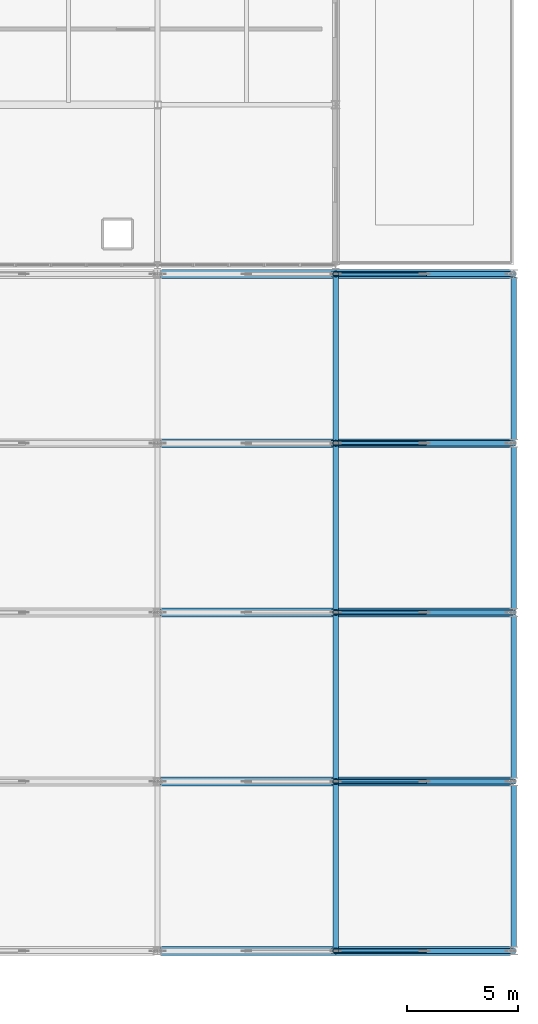
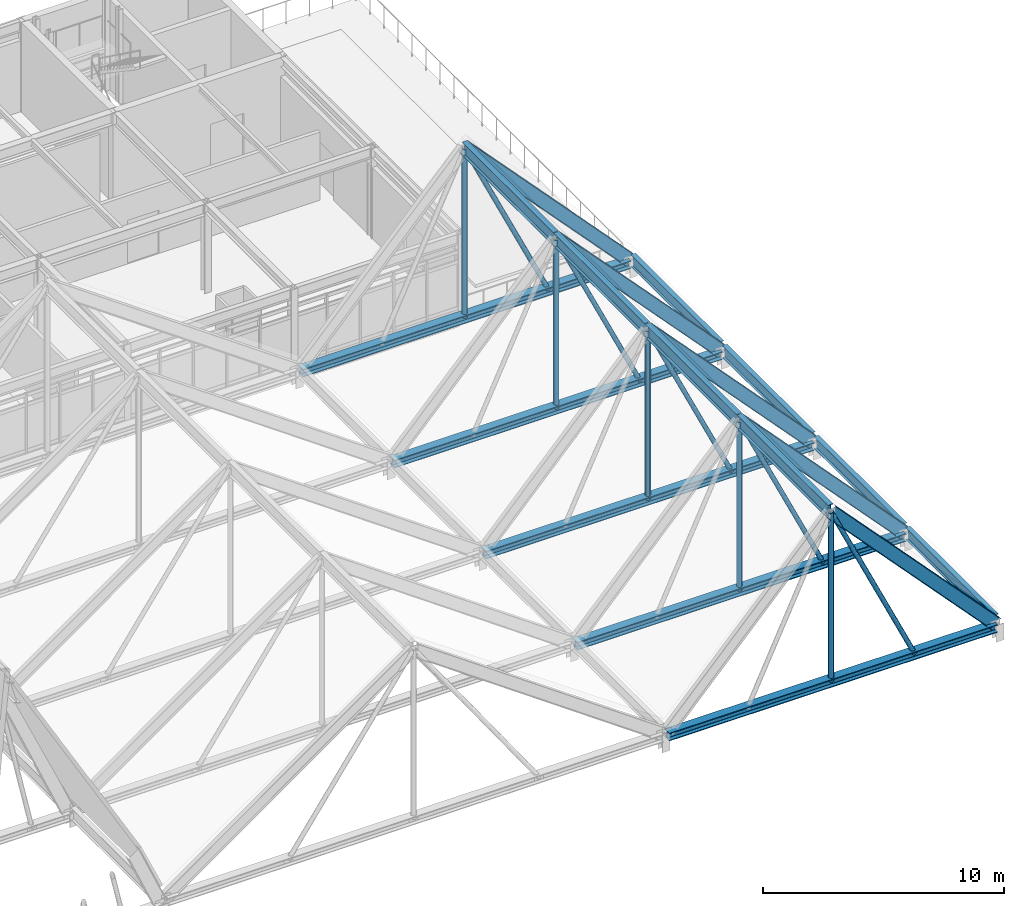
# One storey, part 61 of 100: 15 members, 13 beams.
"""IFC4 building model written with IfcOpenShell, lengths in metres."""

from ifc_helpers import new_model, si_unit, direction, frame, origin, origin_2d, place, context, subcontext, project, spatial, hollow_circle, i_section, extrude, material, material_profile, profile_set, type_object, element, save


model = new_model("IFC4")

# Units and contexts
model_context = context("Model", 3, precision=1e-05, world=origin(), true_north=direction((0.0, 1.0)))
body_context = subcontext(model_context, "Body", "Model", "MODEL_VIEW")
ifc_project = project(units=[si_unit("LENGTHUNIT", "METRE"), si_unit("AREAUNIT", "SQUARE_METRE"), si_unit("VOLUMEUNIT", "CUBIC_METRE"), si_unit("PLANEANGLEUNIT", "RADIAN"), si_unit("MASSUNIT", "GRAM", prefix="KILO")], contexts=[model_context])

# Site, building, storey
site_placement = place(None, origin())
site = spatial("IfcSite", under=ifc_project, at=site_placement, CompositionType="ELEMENT")
building_placement = place(site_placement, origin())
building = spatial("IfcBuilding", under=site, at=building_placement, Name="Zulena Civic Courthouse", CompositionType="ELEMENT")
storey_placement = place(building_placement, frame((0.0, 0.0, 20.39990234375)))
storey = spatial("IfcBuildingStorey", under=building, at=storey_placement, Name="L04", CompositionType="ELEMENT", Elevation=20.39990234375)

# Members
ifc_material_1 = material(Name="Steel ASTM A992 Grade 50", Category="steel")
ifc_material_profile_1 = material_profile(ifc_material_1, i_section(OverallWidth=0.40087890625, OverallDepth=0.39892578125, WebThickness=0.02490234375, FlangeThickness=0.03955078125, FilletRadius=0.01513671875, at=origin_2d()), Name="W14X211")
ifc_profile_set_1 = profile_set([ifc_material_profile_1], Name="Steel ASTM A992 Grade 50")
member_type_1 = type_object("IfcMemberType", Name="Chord_W14X211", PredefinedType="CHORD", material=ifc_profile_set_1)
for number, where, z_axis, x_axis, name in (
    (1, (156.139892578125, 0.0, 0.496337890625), (1.0, 0.0, 0.0), (0.0, 1.0, 0.0), "mem:fold:tie:07:0.0"),
    (2, (156.139892578125, 7.60009765625, 0.496337890625), (1.0, 0.0, 0.0), (0.0, 1.0, 0.0), "mem:fold:tie:07:7.6"),
    (3, (156.139892578125, 15.199951171875, 0.496337890625), (1.0, 0.0, 0.0), (0.0, 1.0, 0.0), "mem:fold:tie:07:15.2"),
    (4, (156.139892578125, 22.800048828125, 0.496337890625), (1.0, 0.0, 0.0), (0.0, 1.0, 0.0), "mem:fold:tie:07:22.8"),
    (5, (156.139892578125, 30.39990234375, 0.496337890625), (1.0, 0.0, 0.0), (0.0, 1.0, 0.0), "mem:fold:tie:07:30.4"),
):
    element("IfcMember", number, at=place(storey_placement, frame(where, z_axis=z_axis, x_axis=x_axis)), inside=storey, type_object=member_type_1, Name=name, PredefinedType="CHORD", context=body_context, shape_type="SweptSolid", body=[
        extrude(i_section(OverallWidth=0.40087890625, OverallDepth=0.39892578125, WebThickness=0.02490234375, FlangeThickness=0.03955078125, FilletRadius=0.01513671875, at=origin_2d()), origin(), (0.0, 0.0, 1.0), 15.72021484375),
    ])

# Beams
ifc_material_profile_2 = material_profile(ifc_material_1, i_section(OverallWidth=0.22802734375, OverallDepth=0.60693359375, WebThickness=0.01123046875, FlangeThickness=0.017333984375, FilletRadius=0.0126953125, at=origin_2d()), Name="W24X76")
ifc_profile_set_2 = profile_set([ifc_material_profile_2], Name="Steel ASTM A992 Grade 50")
beam_type_1 = type_object("IfcBeamType", Name="RoofRafter_W24X76", PredefinedType="BEAM", material=ifc_profile_set_2)
for number, where, z_axis, x_axis, name in (
    (6, (164.010009765625, 0.0, 9.056396484375), (0.682781141332, 0.0, -0.730622962301), (0.0, 1.0, 0.0), "beam:fold:rafE:07:0.0"),
    (7, (164.010009765625, 7.60009765625, 9.056396484375), (0.682781141332, 0.0, -0.730622962301), (0.0, 1.0, 0.0), "beam:fold:rafE:07:7.6"),
    (8, (164.010009765625, 15.199951171875, 9.056396484375), (0.682781141332, 0.0, -0.730622962301), (0.0, 1.0, 0.0), "beam:fold:rafE:07:15.2"),
    (9, (164.010009765625, 22.800048828125, 9.056396484375), (0.682781141332, 0.0, -0.730622962301), (0.0, 1.0, 0.0), "beam:fold:rafE:07:22.8"),
    (10, (164.010009765625, 30.39990234375, 9.056396484375), (0.682781141332, 0.0, -0.730622962301), (0.0, 1.0, 0.0), "beam:fold:rafE:07:30.4"),
):
    element("IfcBeam", number, at=place(storey_placement, frame(where, z_axis=z_axis, x_axis=x_axis)), inside=storey, type_object=beam_type_1, Name=name, PredefinedType="BEAM", context=body_context, shape_type="SweptSolid", body=[
        extrude(i_section(OverallWidth=0.22802734375, OverallDepth=0.60693359375, WebThickness=0.01123046875, FlangeThickness=0.017333984375, FilletRadius=0.0126953125, at=origin_2d()), origin(), (0.0, 0.0, 1.0), 11.497314453125),
    ])
for number, where, z_axis, x_axis, name in (
    (11, (172.0, 0.139892578125, 0.65625), (0.0, 1.0, 0.0), (-1.0, 0.0, 0.0), "beam:fold:val:L04:172.0:0.0"),
    (12, (172.0, 7.739990234375, 0.65625), (0.0, 1.0, 0.0), (-1.0, 0.0, 0.0), "beam:fold:val:L04:172.0:7.6"),
):
    element("IfcBeam", number, at=place(storey_placement, frame(where, z_axis=z_axis, x_axis=x_axis)), inside=storey, type_object=beam_type_1, Name=name, PredefinedType="BEAM", context=body_context, shape_type="SweptSolid", body=[
        extrude(i_section(OverallWidth=0.22802734375, OverallDepth=0.60693359375, WebThickness=0.01123046875, FlangeThickness=0.017333984375, FilletRadius=0.0126953125, at=origin_2d()), origin(), (0.0, 0.0, 1.0), 7.320068359375),
    ])
beam_1_placement = place(storey_placement, frame((172.0, 15.340087890625, 0.65625), z_axis=(0.0, 1.0, 0.0), x_axis=(-1.0, 0.0, 0.0)))
element("IfcBeam", 13, at=beam_1_placement, inside=storey, type_object=beam_type_1, Name="beam:fold:val:L04:172.0:15.2", PredefinedType="BEAM", context=body_context, shape_type="SweptSolid", body=[
    extrude(i_section(OverallWidth=0.22802734375, OverallDepth=0.60693359375, WebThickness=0.01123046875, FlangeThickness=0.017333984375, FilletRadius=0.0126953125, at=origin_2d()), origin(), (0.0, 0.0, 1.0), 7.31982421875),
])
beam_2_placement = place(storey_placement, frame((172.0, 22.93994140625, 0.65625), z_axis=(0.0, 1.0, 0.0), x_axis=(-1.0, 0.0, 0.0)))
element("IfcBeam", 14, at=beam_2_placement, inside=storey, type_object=beam_type_1, Name="beam:fold:val:L04:172.0:22.8", PredefinedType="BEAM", context=body_context, shape_type="SweptSolid", body=[
    extrude(i_section(OverallWidth=0.22802734375, OverallDepth=0.60693359375, WebThickness=0.01123046875, FlangeThickness=0.017333984375, FilletRadius=0.0126953125, at=origin_2d()), origin(), (0.0, 0.0, 1.0), 7.320068359375),
])
ifc_material_profile_3 = material_profile(ifc_material_1, i_section(OverallWidth=0.25390625, OverallDepth=0.68798828125, WebThickness=0.01318359375, FlangeThickness=0.02099609375, FilletRadius=0.0166015625, at=origin_2d()), Name="W27X102")
ifc_profile_set_3 = profile_set([ifc_material_profile_3], Name="Steel ASTM A992 Grade 50")
beam_type_2 = type_object("IfcBeamType", Name="RoofRafter_W27X102", PredefinedType="BEAM", material=ifc_profile_set_3)
beam_3_placement = place(storey_placement, frame((164.0, 0.02001953125, 9.056396484375), z_axis=(0.0, 1.0, 0.0), x_axis=(-1.0, 0.0, 0.0)))
element("IfcBeam", 15, at=beam_3_placement, inside=storey, type_object=beam_type_2, Name="beam:fold:ridge:07:0.0", PredefinedType="BEAM", context=body_context, shape_type="SweptSolid", body=[
    extrude(i_section(OverallWidth=0.25390625, OverallDepth=0.68798828125, WebThickness=0.01318359375, FlangeThickness=0.02099609375, FilletRadius=0.0166015625, at=origin_2d()), origin(), (0.0, 0.0, 1.0), 7.56005859375),
])
beam_4_placement = place(storey_placement, frame((164.0, 7.6201171875, 9.056396484375), z_axis=(0.0, 1.0, 0.0), x_axis=(-1.0, 0.0, 0.0)))
element("IfcBeam", 16, at=beam_4_placement, inside=storey, type_object=beam_type_2, Name="beam:fold:ridge:07:7.6", PredefinedType="BEAM", context=body_context, shape_type="SweptSolid", body=[
    extrude(i_section(OverallWidth=0.25390625, OverallDepth=0.68798828125, WebThickness=0.01318359375, FlangeThickness=0.02099609375, FilletRadius=0.0166015625, at=origin_2d()), origin(), (0.0, 0.0, 1.0), 7.559814453125),
])
beam_5_placement = place(storey_placement, frame((164.0, 15.219970703125, 9.056396484375), z_axis=(0.0, 1.0, 0.0), x_axis=(-1.0, 0.0, 0.0)))
element("IfcBeam", 17, at=beam_5_placement, inside=storey, type_object=beam_type_2, Name="beam:fold:ridge:07:15.2", PredefinedType="BEAM", context=body_context, shape_type="SweptSolid", body=[
    extrude(i_section(OverallWidth=0.25390625, OverallDepth=0.68798828125, WebThickness=0.01318359375, FlangeThickness=0.02099609375, FilletRadius=0.0166015625, at=origin_2d()), origin(), (0.0, 0.0, 1.0), 7.56005859375),
])
beam_6_placement = place(storey_placement, frame((164.0, 22.820068359375, 9.056396484375), z_axis=(0.0, 1.0, 0.0), x_axis=(-1.0, 0.0, 0.0)))
element("IfcBeam", 18, at=beam_6_placement, inside=storey, type_object=beam_type_2, Name="beam:fold:ridge:07:22.8", PredefinedType="BEAM", context=body_context, shape_type="SweptSolid", body=[
    extrude(i_section(OverallWidth=0.25390625, OverallDepth=0.68798828125, WebThickness=0.01318359375, FlangeThickness=0.02099609375, FilletRadius=0.0166015625, at=origin_2d()), origin(), (0.0, 0.0, 1.0), 7.559814453125),
])

# Members
ifc_material_2 = material(Name="Steel ASTM A500 Grade C", Category="steel")
ifc_material_profile_4 = material_profile(ifc_material_2, hollow_circle(Radius=0.126953125, WallThickness=0.01171875, at=origin_2d()), Name="HSS10.000X0.500")
ifc_profile_set_4 = profile_set([ifc_material_profile_4], Name="Steel ASTM A500 Grade C")
member_type_2 = type_object("IfcMemberType", Name="RoofWeb_CHS10", PredefinedType="USERDEFINED", material=ifc_profile_set_4)
for number, where, z_axis, x_axis, name in (
    (19, (164.0, 0.0, 0.496337890625), (0.0, 0.0, 1.0), (1.0, 0.0, 0.0), "mem:fold:king:07:0.0"),
    (20, (164.0, 7.60009765625, 0.496337890625), (0.0, 0.0, 1.0), (1.0, 0.0, 0.0), "mem:fold:king:07:7.6"),
    (21, (164.0, 15.199951171875, 0.496337890625), (0.0, 0.0, 1.0), (1.0, 0.0, 0.0), "mem:fold:king:07:15.2"),
    (22, (164.0, 22.800048828125, 0.496337890625), (0.0, 0.0, 1.0), (1.0, 0.0, 0.0), "mem:fold:king:07:22.8"),
    (23, (164.0, 30.39990234375, 0.496337890625), (0.0, 0.0, 1.0), (1.0, 0.0, 0.0), "mem:fold:king:07:30.4"),
):
    element("IfcMember", number, at=place(storey_placement, frame(where, z_axis=z_axis, x_axis=x_axis)), inside=storey, type_object=member_type_2, Name=name, ObjectType="ROOF TRUSS", PredefinedType="USERDEFINED", context=body_context, shape_type="SweptSolid", body=[
        extrude(hollow_circle(Radius=0.126953125, WallThickness=0.01171875, at=origin_2d()), origin(), (0.0, 0.0, 1.0), 8.56005859375),
    ])
ifc_material_profile_5 = material_profile(ifc_material_2, hollow_circle(Radius=0.109619140625, WallThickness=0.0087890625, at=origin_2d()), Name="HSS8.625X0.375")
ifc_profile_set_5 = profile_set([ifc_material_profile_5], Name="Steel ASTM A500 Grade C")
member_type_3 = type_object("IfcMemberType", Name="RoofWeb_CHS8", PredefinedType="USERDEFINED", material=ifc_profile_set_5)
for number, where, z_axis, x_axis, name in (
    (24, (168.0, 0.0, 0.496337890625), (-0.423346552263, 0.0, 0.905967823208), (0.0, -1.0, 0.0), "mem:fold:diagE:07:0.0"),
    (25, (168.0, 7.60009765625, 0.496337890625), (-0.423346552263, 0.0, 0.905967823208), (0.0, -1.0, 0.0), "mem:fold:diagE:07:7.6"),
    (26, (168.0, 15.199951171875, 0.496337890625), (-0.423346552263, 0.0, 0.905967823208), (0.0, -1.0, 0.0), "mem:fold:diagE:07:15.2"),
    (27, (168.0, 22.800048828125, 0.496337890625), (-0.423346552263, 0.0, 0.905967823208), (0.0, -1.0, 0.0), "mem:fold:diagE:07:22.8"),
    (28, (168.0, 30.39990234375, 0.496337890625), (-0.423346552263, 0.0, 0.905967823208), (0.0, -1.0, 0.0), "mem:fold:diagE:07:30.4"),
):
    element("IfcMember", number, at=place(storey_placement, frame(where, z_axis=z_axis, x_axis=x_axis)), inside=storey, type_object=member_type_3, Name=name, ObjectType="ROOF TRUSS", PredefinedType="USERDEFINED", context=body_context, shape_type="SweptSolid", body=[
        extrude(hollow_circle(Radius=0.109619140625, WallThickness=0.0087890625, at=origin_2d()), origin(), (0.0, 0.0, 1.0), 9.448486328125),
    ])

save(model, "model.ifc")
